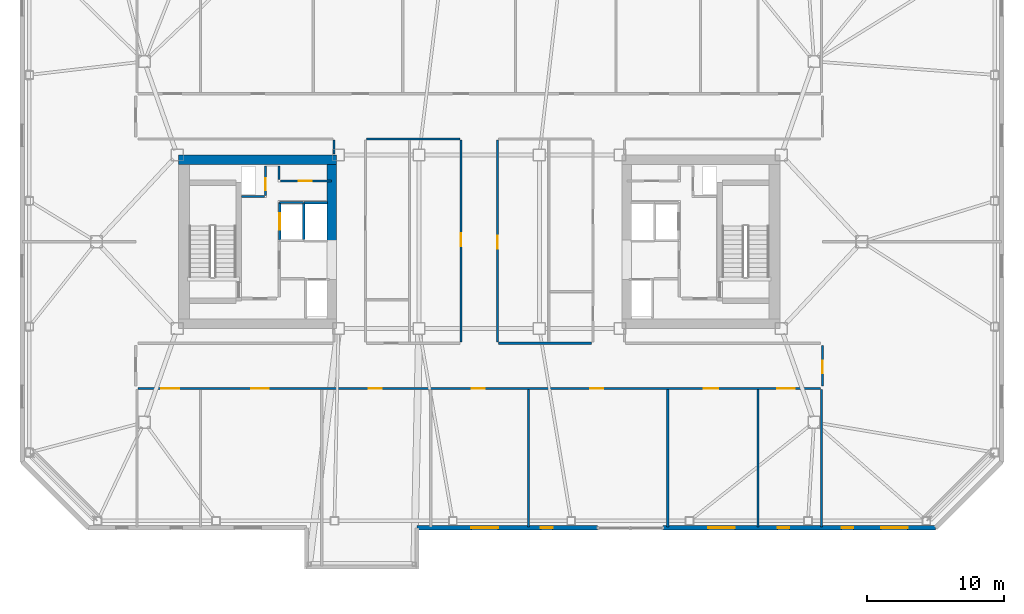
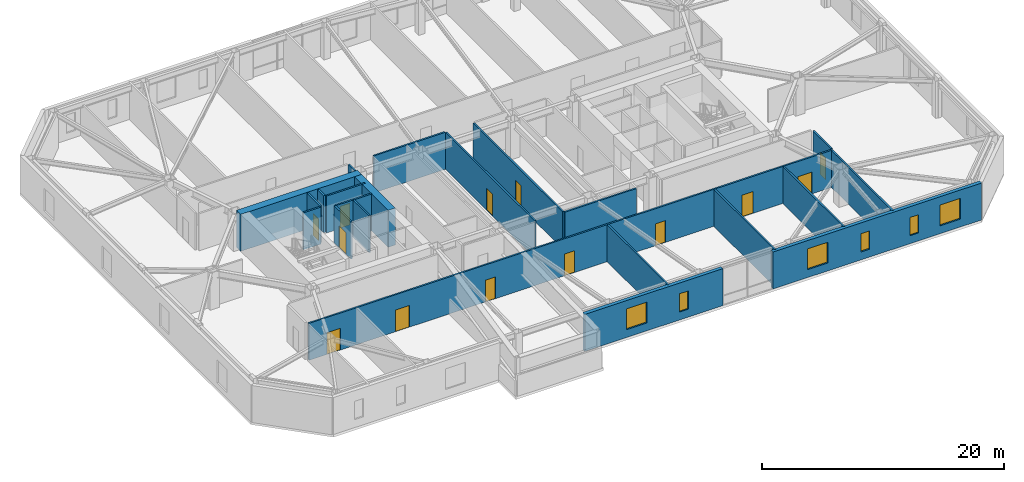
# One storey, part 10 of 17: 23 walls, 13 doors, 6 windows, 19 openings.
"""IFC4 building model written with IfcOpenShell, lengths in metres."""

import ifcopenshell
import ifcopenshell.guid

model = None  # the IFC model being written
_history = None  # IfcOwnerHistory: only IFC2X3 demands one
_inside = {}  # id of a spatial element -> (the spatial element, [elements in it])
_under = {}  # id of a project, library or spatial element -> (it, [spatial elements below it])
_declared = {}  # id of a project -> (the project, [libraries it declares])
_typed = {}  # id of a type object -> (the type object, [elements of that type])
_made_of = {}  # id of a material, layer set ... -> (it, [elements and type objects made of it])


def new_model(schema):
    """Start an empty IFC model of exactly this schema.

    Asked for "IFC4X3", IfcOpenShell would pick the latest addendum, in which some entities
    have other attributes; the version numbers below select the first issue.
    IFC2X3 requires an IfcOwnerHistory on every rooted entity: one is made here for all.
    """
    global model, _history
    if schema == "IFC4X3":
        model = ifcopenshell.file(schema_version=(4, 3, 0, 0))
    else:
        model = ifcopenshell.file(schema=schema)
    _inside.clear()
    _under.clear()
    _declared.clear()
    _typed.clear()
    _made_of.clear()
    _history = None
    if model.schema == "IFC2X3":
        org = make("IfcOrganization", Name="unknown")
        user = make(
            "IfcPersonAndOrganization",
            ThePerson=make("IfcPerson", FamilyName="unknown"),
            TheOrganization=org,
        )
        app = make(
            "IfcApplication",
            ApplicationDeveloper=org,
            Version="unknown",
            ApplicationFullName="unknown",
            ApplicationIdentifier="unknown",
        )
        _history = make(
            "IfcOwnerHistory",
            OwningUser=user,
            OwningApplication=app,
            ChangeAction="ADDED",
            CreationDate=0,
        )
    return model


def make(cls, **values):
    """One entity of the class cls with the attributes given. An attribute that is None is left unset."""
    return model.create_entity(
        cls, **{name: value for name, value in values.items() if value is not None}
    )


def rooted(cls, **values):
    """An entity with a GlobalId (a new one), such as an element, a storey or a relation."""
    return make(cls, GlobalId=ifcopenshell.guid.new(), OwnerHistory=_history, **values)


def si_unit(unit_type, name, prefix=None):
    """IfcSIUnit, for example si_unit("LENGTHUNIT", "METRE", prefix="MILLI")."""
    return make("IfcSIUnit", UnitType=unit_type, Prefix=prefix, Name=name)


def assignment(units):
    """IfcUnitAssignment: the units of a project."""
    return None if units is None else make("IfcUnitAssignment", Units=units)


def point(xyz):
    """IfcCartesianPoint."""
    return None if xyz is None else make("IfcCartesianPoint", Coordinates=xyz)


def direction(xyz):
    """IfcDirection."""
    return None if xyz is None else make("IfcDirection", DirectionRatios=xyz)


def frame(location, z_axis=None, x_axis=None):
    """IfcAxis2Placement3D, a coordinate frame: its origin and axes. An axis left out is left unset."""
    return make(
        "IfcAxis2Placement3D",
        Location=point(location),
        Axis=direction(z_axis),
        RefDirection=direction(x_axis),
    )


def frame_2d(location, x_axis=None):
    """IfcAxis2Placement2D, a coordinate frame in the plane: its origin and x axis."""
    return make(
        "IfcAxis2Placement2D", Location=point(location), RefDirection=direction(x_axis)
    )


def origin():
    """The frame at (0, 0, 0) with its axes left unset."""
    return frame((0.0, 0.0, 0.0))


def place(relative_to, where):
    """IfcLocalPlacement: puts the frame where relative to a parent placement (None: the world)."""
    return make(
        "IfcLocalPlacement", PlacementRelTo=relative_to, RelativePlacement=where
    )


def context(
    kind, dimensions, precision=None, world=None, true_north=None, identifier=None
):
    """IfcGeometricRepresentationContext, for example the 3D "Model" context."""
    return make(
        "IfcGeometricRepresentationContext",
        ContextIdentifier=identifier,
        ContextType=kind,
        CoordinateSpaceDimension=dimensions,
        Precision=precision,
        WorldCoordinateSystem=world,
        TrueNorth=true_north,
    )


def subcontext(parent, identifier, kind, view, scale=None):
    """IfcGeometricRepresentationSubContext, for example "Body" below "Model"."""
    return make(
        "IfcGeometricRepresentationSubContext",
        ContextIdentifier=identifier,
        ContextType=kind,
        ParentContext=parent,
        TargetScale=scale,
        TargetView=view,
    )


def project(units=None, contexts=None):
    """IfcProject with its units and contexts."""
    return rooted(
        "IfcProject",
        Name="project",
        RepresentationContexts=contexts,
        UnitsInContext=assignment(units),
    )


def spatial(cls, under=None, at=None, **own):
    """A site, building, storey or space (cls), placed at a placement, below another one or the project."""
    s = rooted(cls, ObjectPlacement=at, **own)
    if under is not None:
        _under.setdefault(under.id(), (under, []))[1].append(s)
    return s


def profile(cls, at=None, kind="AREA", **sizes):
    """A parametric profile (cls). Its sizes go by their IFC names, for example OverallWidth=200.0."""
    return make(cls, ProfileType=kind, Position=at, **sizes)


def rectangle(**sizes):
    """IfcRectangleProfileDef."""
    return profile("IfcRectangleProfileDef", **sizes)


def extrude(swept, where, along, depth):
    """IfcExtrudedAreaSolid: the profile swept, set in the frame where, extruded along a direction by depth."""
    return make(
        "IfcExtrudedAreaSolid",
        SweptArea=swept,
        Position=where,
        ExtrudedDirection=direction(along),
        Depth=depth,
    )


def shape(context_of_items, identifier, shape_type, items):
    """IfcShapeRepresentation: the items that make up one representation, for example the "Body"."""
    return make(
        "IfcShapeRepresentation",
        ContextOfItems=context_of_items,
        RepresentationIdentifier=identifier,
        RepresentationType=shape_type,
        Items=items,
    )


def material(Name=None, Category=None):
    """IfcMaterial."""
    return make("IfcMaterial", Name=Name, Category=Category)


def layer(
    of_material, thickness, ventilated=None, Name=None, Category=None, Priority=None
):
    """IfcMaterialLayer: one layer of a wall or slab, of a material (None: an air gap)."""
    return make(
        "IfcMaterialLayer",
        Material=of_material,
        LayerThickness=thickness,
        IsVentilated=ventilated,
        Name=Name,
        Category=Category,
        Priority=Priority,
    )


def layer_set(layers, Name=None):
    """IfcMaterialLayerSet."""
    return make("IfcMaterialLayerSet", MaterialLayers=layers, LayerSetName=Name)


def made_of(thing, what):
    """Note that an element or type object is made of a material, layer set ...; save() writes the relation."""
    if what is not None:
        _made_of.setdefault(what.id(), (what, []))[1].append(thing)
    return thing


def type_object(cls, material=None, **own):
    """A type object (cls), such as IfcWallType, which elements share."""
    return made_of(rooted(cls, **own), material)


def element(
    cls,
    number,
    at=None,
    inside=None,
    cuts=None,
    type_object=None,
    material=None,
    context=None,
    identifier="Body",
    shape_type=None,
    held_by="IfcProductDefinitionShape",
    body=None,
    shapes=None,
    **own,
):
    """One element of the class cls, such as IfcWall. Its Tag is "e" and its number.

    at: its placement. inside: the storey or other place that contains it. cuts: it is an
    opening in that element (IfcRelVoidsElement). A single representation is given by context,
    identifier, shape_type and body (its items); several are given by shapes. held_by: the class
    of the entity that holds the representations. save() writes the other relations.
    """
    e = rooted(cls, Tag="e%d" % number, ObjectPlacement=at, **own)
    if body is not None:
        shapes = [shape(context, identifier, shape_type, body)]
    if shapes is not None:
        e.Representation = make(held_by, Representations=shapes)
    if inside is not None:
        _inside.setdefault(inside.id(), (inside, []))[1].append(e)
    if cuts is not None:
        rooted(
            "IfcRelVoidsElement", RelatingBuildingElement=cuts, RelatedOpeningElement=e
        )
    if type_object is not None:
        _typed.setdefault(type_object.id(), (type_object, []))[1].append(e)
    return made_of(e, material)


def fill(opening, filler):
    """IfcRelFillsElement: the door or window that sits in an opening."""
    return rooted(
        "IfcRelFillsElement",
        RelatingOpeningElement=opening,
        RelatedBuildingElement=filler,
    )


def aggregate(whole, parts):
    """IfcRelAggregates: a whole, such as a stair, and the parts it consists of."""
    return rooted("IfcRelAggregates", RelatingObject=whole, RelatedObjects=parts)


def save(model, path):
    """Write the relations noted so far, then the file.

    IfcRelAggregates (storeys below a building ...), IfcRelContainedInSpatialStructure (elements
    in a storey), IfcRelDefinesByType, IfcRelAssociatesMaterial and IfcRelDeclares: one each for
    every whole, place, type object, material and project.
    """
    for whole, parts in _under.values():
        aggregate(whole, parts)
    for where, things in _inside.values():
        rooted(
            "IfcRelContainedInSpatialStructure",
            RelatedElements=things,
            RelatingStructure=where,
        )
    for kind, things in _typed.values():
        rooted("IfcRelDefinesByType", RelatedObjects=things, RelatingType=kind)
    for what, things in _made_of.values():
        rooted("IfcRelAssociatesMaterial", RelatedObjects=things, RelatingMaterial=what)
    for by, libraries in _declared.values():
        rooted("IfcRelDeclares", RelatingContext=by, RelatedDefinitions=libraries)
    model.write(path)


model = new_model("IFC4")

# Units and contexts
model_context = context("Model", 3, precision=1e-05, world=origin(), true_north=direction((0.0, 1.0)))
body_context = subcontext(model_context, "Body", "Model", "MODEL_VIEW")
ifc_project = project(units=[si_unit("LENGTHUNIT", "METRE"), si_unit("AREAUNIT", "SQUARE_METRE"), si_unit("VOLUMEUNIT", "CUBIC_METRE"), si_unit("PLANEANGLEUNIT", "RADIAN"), si_unit("MASSUNIT", "GRAM", prefix="KILO")], contexts=[model_context])

# Site, building, storey
site_placement = place(None, origin())
site = spatial("IfcSite", under=ifc_project, at=site_placement, CompositionType="ELEMENT")
building_placement = place(site_placement, origin())
building = spatial("IfcBuilding", under=site, at=building_placement, Name="Tavrogorsk Clinical Tower", CompositionType="ELEMENT")
storey_placement = place(building_placement, frame((0.0, 0.0, 160.199951171875)))
storey = spatial("IfcBuildingStorey", under=building, at=storey_placement, Name="L36", CompositionType="ELEMENT", Elevation=160.199951171875)

# Wall, opening, door
ifc_material_1 = material(Name="Lightweight concrete blockwork B15", Category="masonry")
ifc_layer_1 = layer(ifc_material_1, 0.159912109375)
ifc_layer_set_1 = layer_set([ifc_layer_1], Name="Lightweight concrete blockwork B15")
wall_type_1 = type_object("IfcWallType", Name="PartitionWall_160", PredefinedType="PARTITIONING", material=ifc_layer_set_1)
wall_1_placement = place(storey_placement, frame((-14.554931640625, 4.4599609375, 0.0), z_axis=(0.0, 0.0, 1.0), x_axis=(1.0, 0.0, 0.0)))
wall_1 = element("IfcWall", 1, at=wall_1_placement, inside=storey, type_object=wall_type_1, Name="L36 Core West Pneumatic Dispatch South Wall", PredefinedType="PARTITIONING", context=body_context, shape_type="SweptSolid", body=[
    extrude(rectangle(XDim=3.7548828125, YDim=0.159912109375, at=frame_2d((1.87744140625, 0.0))), origin(), (0.0, 0.0, 1.0), 3.739990234375),
])
opening_1_placement = place(wall_1_placement, frame((1.35009765625, 0.0, 0.0)))
opening_1 = element("IfcOpeningElement", 2, at=opening_1_placement, cuts=wall_1, Name="Opening ID-02", PredefinedType="OPENING", context=body_context, shape_type="SweptSolid", body=[
    extrude(rectangle(XDim=0.949951171875, YDim=2.199951171875, at=frame_2d((0.47509765625, 1.10009765625))), frame((0.0, 0.08984375, 0.0), z_axis=(0.0, -1.0, 0.0), x_axis=(1.0, 0.0, 0.0)), (0.0, 0.0, 1.0), 0.179931640625),
])
ifc_material_2 = material(Name="Laminated timber leaf on aluminium frame", Category="wood")
door_type_1 = type_object("IfcDoorType", Name="InteriorDoor_ID02_950", OperationType="NOTDEFINED", PredefinedType="DOOR", material=ifc_material_2)
door_1_placement = place(opening_1_placement, origin())
door_1 = element("IfcDoor", 3, at=door_1_placement, inside=storey, type_object=door_type_1, Name="L36 Core West Pneumatic Dispatch Door", OperationType="SINGLE_SWING_LEFT", OverallHeight=2.199951171875, OverallWidth=0.949951171875, PredefinedType="DOOR", context=body_context, shape_type="SweptSolid", body=[
    extrude(rectangle(XDim=0.949951171875, YDim=2.199951171875, at=frame_2d((0.47509765625, 1.10009765625))), frame((0.0, 0.02490234375, 0.0), z_axis=(0.0, -1.0, 0.0), x_axis=(1.0, 0.0, 0.0)), (0.0, 0.0, 1.0), 0.050048828125),
])
fill(opening_1, door_1)

# Walls
for number, where, z_axis, x_axis, name in (
    (4, (-14.639892578125, 4.544921875, 0.0), (0.0, 0.0, 1.0), (0.0, 1.0, 0.0), "L36 Core West Pneumatic Dispatch East Wall"),
    (5, (-10.6298828125, 6.419921875, 0.0), (0.0, 0.0, 1.0), (0.0, 1.0, 0.0), "L36 Corridor Partition 04"),
):
    element("IfcWall", number, at=place(storey_placement, frame(where, z_axis=z_axis, x_axis=x_axis)), inside=storey, type_object=wall_type_1, Name=name, PredefinedType="PARTITIONING", context=body_context, shape_type="SweptSolid", body=[
        extrude(rectangle(XDim=1.01513671875, YDim=0.159912109375, at=frame_2d((0.507568359375, 0.0))), origin(), (0.0, 0.0, 1.0), 3.739990234375),
    ])

# Wall, opening, door
wall_2_placement = place(storey_placement, frame((25.1298828125, -7.5849609375, 0.0), z_axis=(0.0, 0.0, 1.0), x_axis=(0.0, -1.0, 0.0)))
wall_2 = element("IfcWall", 6, at=wall_2_placement, inside=storey, type_object=wall_type_1, Name="L36 Corridor Partition 13", PredefinedType="PARTITIONING", context=body_context, shape_type="SweptSolid", body=[
    extrude(rectangle(XDim=2.97998046875, YDim=0.159912109375, at=frame_2d((1.489990234375, 0.0))), origin(), (0.0, 0.0, 1.0), 3.739990234375),
])
opening_2_placement = place(wall_2_placement, frame((1.10009765625, 0.0, 0.0)))
opening_2 = element("IfcOpeningElement", 7, at=opening_2_placement, cuts=wall_2, Name="Opening ID-02", PredefinedType="OPENING", context=body_context, shape_type="SweptSolid", body=[
    extrude(rectangle(XDim=0.949951171875, YDim=2.199951171875, at=frame_2d((0.47509765625, 1.10009765625))), frame((0.0, 0.08984375, 0.0), z_axis=(0.0, -1.0, 0.0), x_axis=(1.0, 0.0, 0.0)), (0.0, 0.0, 1.0), 0.179931640625),
])
door_2_placement = place(opening_2_placement, origin())
door_2 = element("IfcDoor", 8, at=door_2_placement, inside=storey, type_object=door_type_1, Name="L36 E Senior Clinician Suite 1 Door", OperationType="SINGLE_SWING_RIGHT", OverallHeight=2.199951171875, OverallWidth=0.949951171875, PredefinedType="DOOR", context=body_context, shape_type="SweptSolid", body=[
    extrude(rectangle(XDim=0.949951171875, YDim=2.199951171875, at=frame_2d((0.47509765625, 1.10009765625))), frame((0.0, 0.02490234375, 0.0), z_axis=(0.0, -1.0, 0.0), x_axis=(1.0, 0.0, 0.0)), (0.0, 0.0, 1.0), 0.050048828125),
])
fill(opening_2, door_2)

# Wall, openings, doors
wall_3_placement = place(storey_placement, frame((24.965087890625, -10.72998046875, 0.0), z_axis=(0.0, 0.0, 1.0), x_axis=(-1.0, 0.0, 0.0)))
wall_3 = element("IfcWall", 9, at=wall_3_placement, inside=storey, type_object=wall_type_1, Name="L36 Corridor Partition 14", PredefinedType="PARTITIONING", context=body_context, shape_type="SweptSolid", body=[
    extrude(rectangle(XDim=49.93017578125, YDim=0.159912109375, at=frame_2d((24.965087890625, 0.0))), origin(), (0.0, 0.0, 1.0), 3.739990234375),
])
opening_3_placement = place(wall_3_placement, frame((46.930908203125, 0.0, 0.0)))
opening_3 = element("IfcOpeningElement", 10, at=opening_3_placement, cuts=wall_3, Name="Opening ID-01", PredefinedType="OPENING", context=body_context, shape_type="SweptSolid", body=[
    extrude(rectangle(XDim=1.300048828125, YDim=2.199951171875, at=frame_2d((0.64990234375, 1.10009765625))), frame((0.0, 0.08984375, 0.0), z_axis=(0.0, -1.0, 0.0), x_axis=(1.0, 0.0, 0.0)), (0.0, 0.0, 1.0), 0.179931640625),
])
opening_4_placement = place(wall_3_placement, frame((40.362548828125, 0.0, 0.0)))
opening_4 = element("IfcOpeningElement", 11, at=opening_4_placement, cuts=wall_3, Name="Opening ID-01", PredefinedType="OPENING", context=body_context, shape_type="SweptSolid", body=[
    extrude(rectangle(XDim=1.300048828125, YDim=2.199951171875, at=frame_2d((0.64990234375, 1.10009765625))), frame((0.0, 0.08984375, 0.0), z_axis=(0.0, -1.0, 0.0), x_axis=(1.0, 0.0, 0.0)), (0.0, 0.0, 1.0), 0.179931640625),
])
opening_5_placement = place(wall_3_placement, frame((32.112548828125, 0.0, 0.0)))
opening_5 = element("IfcOpeningElement", 12, at=opening_5_placement, cuts=wall_3, Name="Opening ID-02", PredefinedType="OPENING", context=body_context, shape_type="SweptSolid", body=[
    extrude(rectangle(XDim=0.949951171875, YDim=2.199951171875, at=frame_2d((0.47509765625, 1.10009765625))), frame((0.0, 0.08984375, 0.0), z_axis=(0.0, -1.0, 0.0), x_axis=(1.0, 0.0, 0.0)), (0.0, 0.0, 1.0), 0.179931640625),
])
opening_6_placement = place(wall_3_placement, frame((24.550048828125, 0.0, 0.0)))
opening_6 = element("IfcOpeningElement", 13, at=opening_6_placement, cuts=wall_3, Name="Opening ID-02", PredefinedType="OPENING", context=body_context, shape_type="SweptSolid", body=[
    extrude(rectangle(XDim=0.949951171875, YDim=2.199951171875, at=frame_2d((0.47509765625, 1.10009765625))), frame((0.0, 0.08984375, 0.0), z_axis=(0.0, -1.0, 0.0), x_axis=(1.0, 0.0, 0.0)), (0.0, 0.0, 1.0), 0.179931640625),
])
opening_7_placement = place(wall_3_placement, frame((15.875, 0.0, 0.0)))
opening_7 = element("IfcOpeningElement", 14, at=opening_7_placement, cuts=wall_3, Name="Opening ID-02", PredefinedType="OPENING", context=body_context, shape_type="SweptSolid", body=[
    extrude(rectangle(XDim=0.949951171875, YDim=2.199951171875, at=frame_2d((0.47509765625, 1.10009765625))), frame((0.0, 0.08984375, 0.0), z_axis=(0.0, -1.0, 0.0), x_axis=(1.0, 0.0, 0.0)), (0.0, 0.0, 1.0), 0.179931640625),
])
opening_8_placement = place(wall_3_placement, frame((7.47509765625, 0.0, 0.0)))
opening_8 = element("IfcOpeningElement", 15, at=opening_8_placement, cuts=wall_3, Name="Opening ID-04", PredefinedType="OPENING", context=body_context, shape_type="SweptSolid", body=[
    extrude(rectangle(XDim=1.050048828125, YDim=2.199951171875, at=frame_2d((0.52490234375, 1.10009765625))), frame((0.0, 0.08984375, 0.0), z_axis=(0.0, -1.0, 0.0), x_axis=(1.0, 0.0, 0.0)), (0.0, 0.0, 1.0), 0.179931640625),
])
opening_9_placement = place(wall_3_placement, frame((1.869140625, 0.0, 0.0)))
opening_9 = element("IfcOpeningElement", 16, at=opening_9_placement, cuts=wall_3, Name="Opening ID-01", PredefinedType="OPENING", context=body_context, shape_type="SweptSolid", body=[
    extrude(rectangle(XDim=1.300048828125, YDim=2.199951171875, at=frame_2d((0.64990234375, 1.10009765625))), frame((0.0, 0.08984375, 0.0), z_axis=(0.0, -1.0, 0.0), x_axis=(1.0, 0.0, 0.0)), (0.0, 0.0, 1.0), 0.179931640625),
])
ifc_material_3 = material(Name="Antibacterial HPL consultation door on aluminium frame", Category="aluminium")
door_type_2 = type_object("IfcDoorType", Name="ConsultDoor_ID04_1050", OperationType="NOTDEFINED", PredefinedType="DOOR", material=ifc_material_3)
door_3_placement = place(opening_8_placement, origin())
door_3 = element("IfcDoor", 17, at=door_3_placement, inside=storey, type_object=door_type_2, Name="L36 South Staff Rest & Nourishment Lounge 05 Door", OperationType="SINGLE_SWING_RIGHT", OverallHeight=2.199951171875, OverallWidth=1.050048828125, PredefinedType="DOOR", context=body_context, shape_type="SweptSolid", body=[
    extrude(rectangle(XDim=1.050048828125, YDim=2.199951171875, at=frame_2d((0.52490234375, 1.10009765625))), frame((0.0, 0.02490234375, 0.0), z_axis=(0.0, -1.0, 0.0), x_axis=(1.0, 0.0, 0.0)), (0.0, 0.0, 1.0), 0.050048828125),
])
fill(opening_8, door_3)
door_4_placement = place(opening_5_placement, origin())
door_4 = element("IfcDoor", 18, at=door_4_placement, inside=storey, type_object=door_type_1, Name="L36 South Clean Medication & Prep Room 02B Door", OperationType="SINGLE_SWING_LEFT", OverallHeight=2.199951171875, OverallWidth=0.949951171875, PredefinedType="DOOR", context=body_context, shape_type="SweptSolid", body=[
    extrude(rectangle(XDim=0.949951171875, YDim=2.199951171875, at=frame_2d((0.47509765625, 1.10009765625))), frame((0.0, 0.02490234375, 0.0), z_axis=(0.0, -1.0, 0.0), x_axis=(1.0, 0.0, 0.0)), (0.0, 0.0, 1.0), 0.050048828125),
])
fill(opening_5, door_4)
door_5_placement = place(opening_6_placement, origin())
door_5 = element("IfcDoor", 19, at=door_5_placement, inside=storey, type_object=door_type_1, Name="L36 South Soiled Utility & Sluice Room 03 Door", OperationType="SINGLE_SWING_RIGHT", OverallHeight=2.199951171875, OverallWidth=0.949951171875, PredefinedType="DOOR", context=body_context, shape_type="SweptSolid", body=[
    extrude(rectangle(XDim=0.949951171875, YDim=2.199951171875, at=frame_2d((0.47509765625, 1.10009765625))), frame((0.0, 0.02490234375, 0.0), z_axis=(0.0, -1.0, 0.0), x_axis=(1.0, 0.0, 0.0)), (0.0, 0.0, 1.0), 0.050048828125),
])
fill(opening_6, door_5)
door_6_placement = place(opening_7_placement, origin())
door_6 = element("IfcDoor", 20, at=door_6_placement, inside=storey, type_object=door_type_1, Name="L36 South Clinical Case Seminar Room 04 Door", OperationType="SINGLE_SWING_LEFT", OverallHeight=2.199951171875, OverallWidth=0.949951171875, PredefinedType="DOOR", context=body_context, shape_type="SweptSolid", body=[
    extrude(rectangle(XDim=0.949951171875, YDim=2.199951171875, at=frame_2d((0.47509765625, 1.10009765625))), frame((0.0, 0.02490234375, 0.0), z_axis=(0.0, -1.0, 0.0), x_axis=(1.0, 0.0, 0.0)), (0.0, 0.0, 1.0), 0.050048828125),
])
fill(opening_7, door_6)
ifc_material_4 = material(Name="Antibacterial HPL medical leaf on aluminium frame", Category="aluminium")
door_type_3 = type_object("IfcDoorType", Name="WardBedDoor_ID01_1300", OperationType="NOTDEFINED", PredefinedType="DOOR", material=ifc_material_4)
door_7_placement = place(opening_3_placement, origin())
door_7 = element("IfcDoor", 21, at=door_7_placement, inside=storey, type_object=door_type_3, Name="L36 South Bariatric Observation Ward 01 Door", OperationType="SINGLE_SWING_LEFT", OverallHeight=2.199951171875, OverallWidth=1.300048828125, PredefinedType="DOOR", context=body_context, shape_type="SweptSolid", body=[
    extrude(rectangle(XDim=1.300048828125, YDim=2.199951171875, at=frame_2d((0.64990234375, 1.10009765625))), frame((0.0, 0.02490234375, 0.0), z_axis=(0.0, -1.0, 0.0), x_axis=(1.0, 0.0, 0.0)), (0.0, 0.0, 1.0), 0.050048828125),
])
fill(opening_3, door_7)
door_8_placement = place(opening_4_placement, origin())
door_8 = element("IfcDoor", 22, at=door_8_placement, inside=storey, type_object=door_type_3, Name="L36 South Surgical Step-Down Ward 02A Door", OperationType="SINGLE_SWING_RIGHT", OverallHeight=2.199951171875, OverallWidth=1.300048828125, PredefinedType="DOOR", context=body_context, shape_type="SweptSolid", body=[
    extrude(rectangle(XDim=1.300048828125, YDim=2.199951171875, at=frame_2d((0.64990234375, 1.10009765625))), frame((0.0, 0.02490234375, 0.0), z_axis=(0.0, -1.0, 0.0), x_axis=(1.0, 0.0, 0.0)), (0.0, 0.0, 1.0), 0.050048828125),
])
fill(opening_4, door_8)
door_9_placement = place(opening_9_placement, origin())
door_9 = element("IfcDoor", 23, at=door_9_placement, inside=storey, type_object=door_type_3, Name="L36 South Bariatric Observation Ward 06 Door", OperationType="SINGLE_SWING_LEFT", OverallHeight=2.199951171875, OverallWidth=1.300048828125, PredefinedType="DOOR", context=body_context, shape_type="SweptSolid", body=[
    extrude(rectangle(XDim=1.300048828125, YDim=2.199951171875, at=frame_2d((0.64990234375, 1.10009765625))), frame((0.0, 0.02490234375, 0.0), z_axis=(0.0, -1.0, 0.0), x_axis=(1.0, 0.0, 0.0)), (0.0, 0.0, 1.0), 0.050048828125),
])
fill(opening_9, door_9)

# Wall, opening, door
wall_4_placement = place(storey_placement, frame((1.330078125, 7.43505859375, 0.0), z_axis=(0.0, 0.0, 1.0), x_axis=(0.0, -1.0, 0.0)))
wall_4 = element("IfcWall", 24, at=wall_4_placement, inside=storey, type_object=wall_type_1, Name="L36 Corridor Partition 16", PredefinedType="PARTITIONING", context=body_context, shape_type="SweptSolid", body=[
    extrude(rectangle(XDim=14.77001953125, YDim=0.159912109375, at=frame_2d((7.385009765625, 0.0))), origin(), (0.0, 0.0, 1.0), 3.739990234375),
])
opening_10_placement = place(wall_4_placement, frame((6.9951171875, 0.0, 0.0)))
opening_10 = element("IfcOpeningElement", 25, at=opening_10_placement, cuts=wall_4, Name="Opening ID-02", PredefinedType="OPENING", context=body_context, shape_type="SweptSolid", body=[
    extrude(rectangle(XDim=0.949951171875, YDim=2.199951171875, at=frame_2d((0.47509765625, 1.10009765625))), frame((0.0, 0.08984375, 0.0), z_axis=(0.0, -1.0, 0.0), x_axis=(1.0, 0.0, 0.0)), (0.0, 0.0, 1.0), 0.179931640625),
])
door_10_placement = place(opening_10_placement, origin())
door_10 = element("IfcDoor", 26, at=door_10_placement, inside=storey, type_object=door_type_1, Name="L36 Clean Medication Preparation Room Door", OperationType="SINGLE_SWING_LEFT", OverallHeight=2.199951171875, OverallWidth=0.949951171875, PredefinedType="DOOR", context=body_context, shape_type="SweptSolid", body=[
    extrude(rectangle(XDim=0.949951171875, YDim=2.199951171875, at=frame_2d((0.47509765625, 1.10009765625))), frame((0.0, 0.02490234375, 0.0), z_axis=(0.0, -1.0, 0.0), x_axis=(1.0, 0.0, 0.0)), (0.0, 0.0, 1.0), 0.050048828125),
])
fill(opening_10, door_10)

# Wall
wall_5_placement = place(storey_placement, frame((1.4150390625, -7.419921875, 0.0), z_axis=(0.0, 0.0, 1.0), x_axis=(1.0, 0.0, 0.0)))
element("IfcWall", 27, at=wall_5_placement, inside=storey, type_object=wall_type_1, Name="L36 Corridor Partition 17", PredefinedType="PARTITIONING", context=body_context, shape_type="SweptSolid", body=[
    extrude(rectangle(XDim=6.820068359375, YDim=0.159912109375, at=frame_2d((3.41015625, 0.0))), origin(), (0.0, 0.0, 1.0), 3.739990234375),
])

# Wall, opening, door
wall_6_placement = place(storey_placement, frame((-1.330078125, -7.3349609375, 0.0), z_axis=(0.0, 0.0, 1.0), x_axis=(0.0, 1.0, 0.0)))
wall_6 = element("IfcWall", 28, at=wall_6_placement, inside=storey, type_object=wall_type_1, Name="L36 Corridor Partition 19", PredefinedType="PARTITIONING", context=body_context, shape_type="SweptSolid", body=[
    extrude(rectangle(XDim=14.77001953125, YDim=0.159912109375, at=frame_2d((7.385009765625, 0.0))), origin(), (0.0, 0.0, 1.0), 3.739990234375),
])
opening_11_placement = place(wall_6_placement, frame((6.9951171875, 0.0, 0.0)))
opening_11 = element("IfcOpeningElement", 29, at=opening_11_placement, cuts=wall_6, Name="Opening ID-02", PredefinedType="OPENING", context=body_context, shape_type="SweptSolid", body=[
    extrude(rectangle(XDim=0.949951171875, YDim=2.199951171875, at=frame_2d((0.47509765625, 1.10009765625))), frame((0.0, 0.08984375, 0.0), z_axis=(0.0, -1.0, 0.0), x_axis=(1.0, 0.0, 0.0)), (0.0, 0.0, 1.0), 0.179931640625),
])
door_11_placement = place(opening_11_placement, origin())
door_11 = element("IfcDoor", 30, at=door_11_placement, inside=storey, type_object=door_type_1, Name="L36 Nurses' Station & Telemetry Hub Door", OperationType="SINGLE_SWING_RIGHT", OverallHeight=2.199951171875, OverallWidth=0.949951171875, PredefinedType="DOOR", context=body_context, shape_type="SweptSolid", body=[
    extrude(rectangle(XDim=0.949951171875, YDim=2.199951171875, at=frame_2d((0.47509765625, 1.10009765625))), frame((0.0, 0.02490234375, 0.0), z_axis=(0.0, -1.0, 0.0), x_axis=(1.0, 0.0, 0.0)), (0.0, 0.0, 1.0), 0.050048828125),
])
fill(opening_11, door_11)

# Walls
wall_7_placement = place(storey_placement, frame((-1.4150390625, 7.52001953125, 0.0), z_axis=(0.0, 0.0, 1.0), x_axis=(-1.0, 0.0, 0.0)))
element("IfcWall", 31, at=wall_7_placement, inside=storey, type_object=wall_type_1, Name="L36 Corridor Partition 20", PredefinedType="PARTITIONING", context=body_context, shape_type="SweptSolid", body=[
    extrude(rectangle(XDim=6.820068359375, YDim=0.159912109375, at=frame_2d((3.41015625, 0.0))), origin(), (0.0, 0.0, 1.0), 3.739990234375),
])
for number, where, z_axis, x_axis, name in (
    (32, (25.050048828125, -20.860107421875, 0.0), (0.0, 0.0, 1.0), (0.0, 1.0, 0.0), "L36 SE Wing Closure Partition"),
    (33, (3.60009765625, -20.860107421875, 0.0), (0.0, 0.0, 1.0), (0.0, 1.0, 0.0), "L36 South Room Partition 3"),
    (34, (13.800048828125, -20.860107421875, 0.0), (0.0, 0.0, 1.0), (0.0, 1.0, 0.0), "L36 South Room Partition 4"),
    (35, (20.39990234375, -20.860107421875, 0.0), (0.0, 0.0, 1.0), (0.0, 1.0, 0.0), "L36 South Room Partition 5"),
):
    element("IfcWall", number, at=place(storey_placement, frame(where, z_axis=z_axis, x_axis=x_axis)), inside=storey, type_object=wall_type_1, Name=name, PredefinedType="PARTITIONING", context=body_context, shape_type="SweptSolid", body=[
        extrude(rectangle(XDim=10.045166015625, YDim=0.159912109375, at=frame_2d((5.0224609375, 0.0))), origin(), (0.0, 0.0, 1.0), 3.739990234375),
    ])

# Wall, openings, windows
ifc_material_5 = material(Name="Precast concrete B45 with limestone cladding", Category="masonry")
ifc_layer_2 = layer(ifc_material_5, 0.340087890625)
ifc_layer_set_2 = layer_set([ifc_layer_2], Name="Precast concrete B45 with limestone cladding")
wall_type_2 = type_object("IfcWallType", Name="PrecastLimestoneWall_340", PredefinedType="STANDARD", material=ifc_layer_set_2)
wall_8_placement = place(storey_placement, frame((-4.550048828125, -20.929931640625, 0.0), z_axis=(0.0, 0.0, 1.0), x_axis=(1.0, 0.0, 0.0)))
wall_8 = element("IfcWall", 36, at=wall_8_placement, inside=storey, type_object=wall_type_2, Name="L36 S Limestone Facade Wall 2", PredefinedType="STANDARD", context=body_context, shape_type="SweptSolid", body=[
    extrude(rectangle(XDim=13.212890625, YDim=0.340087890625, at=frame_2d((6.6064453125, 0.0))), origin(), (0.0, 0.0, 1.0), 3.739990234375),
])
opening_12_placement = place(wall_8_placement, frame((3.982666015625, 0.0, 0.800048828125)))
opening_12 = element("IfcOpeningElement", 37, at=opening_12_placement, cuts=wall_8, Name="Opening WN-13", PredefinedType="OPENING", context=body_context, shape_type="SweptSolid", body=[
    extrude(rectangle(XDim=1.949951171875, YDim=2.10009765625, at=frame_2d((0.97509765625, 1.050048828125))), frame((0.0, 0.179931640625, 0.0), z_axis=(0.0, -1.0, 0.0), x_axis=(1.0, 0.0, 0.0)), (0.0, 0.0, 1.0), 0.360107421875),
])
opening_13_placement = place(wall_8_placement, frame((9.0673828125, 0.0, 0.800048828125)))
opening_13 = element("IfcOpeningElement", 38, at=opening_13_placement, cuts=wall_8, Name="Opening WN-06", PredefinedType="OPENING", context=body_context, shape_type="SweptSolid", body=[
    extrude(rectangle(XDim=0.85009765625, YDim=1.85009765625, at=frame_2d((0.425048828125, 0.925048828125))), frame((0.0, 0.179931640625, 0.0), z_axis=(0.0, -1.0, 0.0), x_axis=(1.0, 0.0, 0.0)), (0.0, 0.0, 1.0), 0.360107421875),
])
ifc_material_6 = material(Name="Thermally broken aluminium frame and triple IGU", Category="aluminium")
window_type_1 = type_object("IfcWindowType", Name="ExamRoomWin_1950x2100", PartitioningType="DOUBLE_PANEL_VERTICAL", PredefinedType="WINDOW", material=ifc_material_6)
window_1_placement = place(opening_12_placement, origin())
window_1 = element("IfcWindow", 39, at=window_1_placement, inside=storey, type_object=window_type_1, Name="L36 S Chicago Window 05", OverallHeight=2.10009765625, OverallWidth=1.949951171875, PartitioningType="SINGLE_PANEL", PredefinedType="WINDOW", context=body_context, shape_type="SweptSolid", body=[
    extrude(rectangle(XDim=1.949951171875, YDim=2.10009765625, at=frame_2d((0.97509765625, 1.050048828125))), frame((0.0, 0.030029296875, 0.0), z_axis=(0.0, -1.0, 0.0), x_axis=(1.0, 0.0, 0.0)), (0.0, 0.0, 1.0), 0.06005859375),
])
fill(opening_12, window_1)
ifc_material_7 = material(Name="Thermally broken aluminium frame and triple IGU", Category="aluminium")
window_type_2 = type_object("IfcWindowType", Name="MullionSubWin_850x1850", PartitioningType="SINGLE_PANEL", PredefinedType="WINDOW", material=ifc_material_7)
window_2_placement = place(opening_13_placement, origin())
window_2 = element("IfcWindow", 40, at=window_2_placement, inside=storey, type_object=window_type_2, Name="L36 S Mullion Split Window 06B", OverallHeight=1.85009765625, OverallWidth=0.85009765625, PartitioningType="SINGLE_PANEL", PredefinedType="WINDOW", context=body_context, shape_type="SweptSolid", body=[
    extrude(rectangle(XDim=0.85009765625, YDim=1.85009765625, at=frame_2d((0.425048828125, 0.925048828125))), frame((0.0, 0.030029296875, 0.0), z_axis=(0.0, -1.0, 0.0), x_axis=(1.0, 0.0, 0.0)), (0.0, 0.0, 1.0), 0.06005859375),
])
fill(opening_13, window_2)

wall_9_placement = place(storey_placement, frame((13.462890625, -20.929931640625, 0.0), z_axis=(0.0, 0.0, 1.0), x_axis=(1.0, 0.0, 0.0)))
wall_9 = element("IfcWall", 41, at=wall_9_placement, inside=storey, type_object=wall_type_2, Name="L36 S Limestone Facade Wall 3", PredefinedType="STANDARD", context=body_context, shape_type="SweptSolid", body=[
    extrude(rectangle(XDim=19.93701171875, YDim=0.340087890625, at=frame_2d((9.968505859375, 0.0))), origin(), (0.0, 0.0, 1.0), 3.739990234375),
])
opening_14_placement = place(wall_9_placement, frame((3.29541015625, 0.0, 0.800048828125)))
opening_14 = element("IfcOpeningElement", 42, at=opening_14_placement, cuts=wall_9, Name="Opening WN-13", PredefinedType="OPENING", context=body_context, shape_type="SweptSolid", body=[
    extrude(rectangle(XDim=1.949951171875, YDim=2.10009765625, at=frame_2d((0.97509765625, 1.050048828125))), frame((0.0, 0.179931640625, 0.0), z_axis=(0.0, -1.0, 0.0), x_axis=(1.0, 0.0, 0.0)), (0.0, 0.0, 1.0), 0.360107421875),
])
opening_15_placement = place(wall_9_placement, frame((8.38037109375, 0.0, 0.800048828125)))
opening_15 = element("IfcOpeningElement", 43, at=opening_15_placement, cuts=wall_9, Name="Opening WN-06", PredefinedType="OPENING", context=body_context, shape_type="SweptSolid", body=[
    extrude(rectangle(XDim=0.85009765625, YDim=1.85009765625, at=frame_2d((0.425048828125, 0.925048828125))), frame((0.0, 0.179931640625, 0.0), z_axis=(0.0, -1.0, 0.0), x_axis=(1.0, 0.0, 0.0)), (0.0, 0.0, 1.0), 0.360107421875),
])
opening_16_placement = place(wall_9_placement, frame((13.058349609375, 0.0, 0.800048828125)))
opening_16 = element("IfcOpeningElement", 44, at=opening_16_placement, cuts=wall_9, Name="Opening WN-06", PredefinedType="OPENING", context=body_context, shape_type="SweptSolid", body=[
    extrude(rectangle(XDim=0.85009765625, YDim=1.85009765625, at=frame_2d((0.425048828125, 0.925048828125))), frame((0.0, 0.179931640625, 0.0), z_axis=(0.0, -1.0, 0.0), x_axis=(1.0, 0.0, 0.0)), (0.0, 0.0, 1.0), 0.360107421875),
])
opening_17_placement = place(wall_9_placement, frame((15.943115234375, 0.0, 0.800048828125)))
opening_17 = element("IfcOpeningElement", 45, at=opening_17_placement, cuts=wall_9, Name="Opening WN-13", PredefinedType="OPENING", context=body_context, shape_type="SweptSolid", body=[
    extrude(rectangle(XDim=1.949951171875, YDim=2.10009765625, at=frame_2d((0.97509765625, 1.050048828125))), frame((0.0, 0.179931640625, 0.0), z_axis=(0.0, -1.0, 0.0), x_axis=(1.0, 0.0, 0.0)), (0.0, 0.0, 1.0), 0.360107421875),
])
window_3_placement = place(opening_14_placement, origin())
window_3 = element("IfcWindow", 46, at=window_3_placement, inside=storey, type_object=window_type_1, Name="L36 S Chicago Window 07", OverallHeight=2.10009765625, OverallWidth=1.949951171875, PartitioningType="SINGLE_PANEL", PredefinedType="WINDOW", context=body_context, shape_type="SweptSolid", body=[
    extrude(rectangle(XDim=1.949951171875, YDim=2.10009765625, at=frame_2d((0.97509765625, 1.050048828125))), frame((0.0, 0.030029296875, 0.0), z_axis=(0.0, -1.0, 0.0), x_axis=(1.0, 0.0, 0.0)), (0.0, 0.0, 1.0), 0.06005859375),
])
fill(opening_14, window_3)
window_4_placement = place(opening_17_placement, origin())
window_4 = element("IfcWindow", 47, at=window_4_placement, inside=storey, type_object=window_type_1, Name="L36 S Chicago Window 10", OverallHeight=2.10009765625, OverallWidth=1.949951171875, PartitioningType="SINGLE_PANEL", PredefinedType="WINDOW", context=body_context, shape_type="SweptSolid", body=[
    extrude(rectangle(XDim=1.949951171875, YDim=2.10009765625, at=frame_2d((0.97509765625, 1.050048828125))), frame((0.0, 0.030029296875, 0.0), z_axis=(0.0, -1.0, 0.0), x_axis=(1.0, 0.0, 0.0)), (0.0, 0.0, 1.0), 0.06005859375),
])
fill(opening_17, window_4)
window_5_placement = place(opening_15_placement, origin())
window_5 = element("IfcWindow", 48, at=window_5_placement, inside=storey, type_object=window_type_2, Name="L36 S Mullion Split Window 08B", OverallHeight=1.85009765625, OverallWidth=0.85009765625, PartitioningType="SINGLE_PANEL", PredefinedType="WINDOW", context=body_context, shape_type="SweptSolid", body=[
    extrude(rectangle(XDim=0.85009765625, YDim=1.85009765625, at=frame_2d((0.425048828125, 0.925048828125))), frame((0.0, 0.030029296875, 0.0), z_axis=(0.0, -1.0, 0.0), x_axis=(1.0, 0.0, 0.0)), (0.0, 0.0, 1.0), 0.06005859375),
])
fill(opening_15, window_5)
window_6_placement = place(opening_16_placement, origin())
window_6 = element("IfcWindow", 49, at=window_6_placement, inside=storey, type_object=window_type_2, Name="L36 S Mullion Split Window 09B", OverallHeight=1.85009765625, OverallWidth=0.85009765625, PartitioningType="SINGLE_PANEL", PredefinedType="WINDOW", context=body_context, shape_type="SweptSolid", body=[
    extrude(rectangle(XDim=0.85009765625, YDim=1.85009765625, at=frame_2d((0.425048828125, 0.925048828125))), frame((0.0, 0.030029296875, 0.0), z_axis=(0.0, -1.0, 0.0), x_axis=(1.0, 0.0, 0.0)), (0.0, 0.0, 1.0), 0.06005859375),
])
fill(opening_16, window_6)

# Wall, opening, door
ifc_material_8 = material(Name="Lightweight concrete blockwork B25", Category="masonry")
ifc_layer_3 = layer(ifc_material_8, 0.159912109375)
ifc_layer_set_3 = layer_set([ifc_layer_3], Name="Lightweight concrete blockwork B25")
wall_type_3 = type_object("IfcWallType", Name="ShaftWall_160", PredefinedType="PARTITIONING", material=ifc_layer_set_3)
wall_10_placement = place(storey_placement, frame((-14.60009765625, 0.1201171875, 0.0), z_axis=(0.0, 0.0, 1.0), x_axis=(0.0, 1.0, 0.0)))
wall_10 = element("IfcWall", 50, at=wall_10_placement, inside=storey, type_object=wall_type_3, Name="L36 FFL-W Firefighting Lift Front Wall", PredefinedType="PARTITIONING", context=body_context, shape_type="SweptSolid", body=[
    extrude(rectangle(XDim=2.739990234375, YDim=0.159912109375, at=frame_2d((1.3701171875, 0.0))), origin(), (0.0, 0.0, 1.0), 3.739990234375),
])
opening_18_placement = place(wall_10_placement, frame((0.77001953125, 0.0, 0.0)))
opening_18 = element("IfcOpeningElement", 51, at=opening_18_placement, cuts=wall_10, Name="Opening LD", PredefinedType="OPENING", context=body_context, shape_type="SweptSolid", body=[
    extrude(rectangle(XDim=1.199951171875, YDim=2.199951171875, at=frame_2d((0.60009765625, 1.10009765625))), frame((0.0, 0.08984375, 0.0), z_axis=(0.0, -1.0, 0.0), x_axis=(1.0, 0.0, 0.0)), (0.0, 0.0, 1.0), 0.179931640625),
])
ifc_material_9 = material(Name="Brushed stainless steel AISI 304 sliding doors", Category="steel")
door_type_4 = type_object("IfcDoorType", Name="LiftLandingDoor_LD_1200", OperationType="SLIDING_TO_LEFT", PredefinedType="DOOR", material=ifc_material_9)
door_12_placement = place(opening_18_placement, origin())
door_12 = element("IfcDoor", 52, at=door_12_placement, inside=storey, type_object=door_type_4, Name="L36 FFL-W Sliding Lift Landing Door", OperationType="SLIDING_TO_LEFT", OverallHeight=2.199951171875, OverallWidth=1.199951171875, PredefinedType="DOOR", context=body_context, shape_type="SweptSolid", body=[
    extrude(rectangle(XDim=1.199951171875, YDim=2.199951171875, at=frame_2d((0.60009765625, 1.10009765625))), frame((0.0, 0.02490234375, 0.0), z_axis=(0.0, -1.0, 0.0), x_axis=(1.0, 0.0, 0.0)), (0.0, 0.0, 1.0), 0.050048828125),
])
fill(opening_18, door_12)

# Walls
wall_11_placement = place(storey_placement, frame((-14.60009765625, 2.8798828125, 0.0), z_axis=(0.0, 0.0, 1.0), x_axis=(1.0, 0.0, 0.0)))
element("IfcWall", 53, at=wall_11_placement, inside=storey, type_object=wall_type_3, Name="L36 FFL-W Shaft North Wall", PredefinedType="PARTITIONING", context=body_context, shape_type="SweptSolid", body=[
    extrude(rectangle(XDim=1.760009765625, YDim=0.159912109375, at=frame_2d((0.8798828125, 0.0))), origin(), (0.0, 0.0, 1.0), 3.739990234375),
])
wall_12_placement = place(storey_placement, frame((-12.840087890625, 0.179931640625, 0.0), z_axis=(0.0, 0.0, 1.0), x_axis=(0.0, 1.0, 0.0)))
element("IfcWall", 54, at=wall_12_placement, inside=storey, type_object=wall_type_3, Name="L36 FFL-W Shaft Back Wall", PredefinedType="PARTITIONING", context=body_context, shape_type="SweptSolid", body=[
    extrude(rectangle(XDim=2.6201171875, YDim=0.159912109375, at=frame_2d((1.31005859375, 0.0))), origin(), (0.0, 0.0, 1.0), 3.739990234375),
])
wall_13_placement = place(storey_placement, frame((-12.820068359375, 2.860107421875, 0.0), z_axis=(0.0, 0.0, 1.0), x_axis=(1.0, 0.0, 0.0)))
element("IfcWall", 55, at=wall_13_placement, inside=storey, type_object=wall_type_3, Name="L36 LP-H1 High-Zone Lift Rear Wall", PredefinedType="PARTITIONING", context=body_context, shape_type="SweptSolid", body=[
    extrude(rectangle(XDim=1.719970703125, YDim=0.159912109375, at=frame_2d((0.85986328125, 0.0))), origin(), (0.0, 0.0, 1.0), 3.739990234375),
])

# Wall, opening, door
wall_14_placement = place(storey_placement, frame((-15.639892578125, 3.405029296875, 0.0), z_axis=(0.0, 0.0, 1.0), x_axis=(0.0, 1.0, 0.0)))
wall_14 = element("IfcWall", 56, at=wall_14_placement, inside=storey, type_object=wall_type_3, Name="L36 Core West Riser West Wall", PredefinedType="PARTITIONING", context=body_context, shape_type="SweptSolid", body=[
    extrude(rectangle(XDim=2.155029296875, YDim=0.159912109375, at=frame_2d((1.07763671875, 0.0))), origin(), (0.0, 0.0, 1.0), 3.739990234375),
])
opening_19_placement = place(wall_14_placement, frame((0.35009765625, 0.0, 0.0)))
opening_19 = element("IfcOpeningElement", 57, at=opening_19_placement, cuts=wall_14, Name="Opening FD-02", PredefinedType="OPENING", context=body_context, shape_type="SweptSolid", body=[
    extrude(rectangle(XDim=0.89990234375, YDim=2.199951171875, at=frame_2d((0.449951171875, 1.10009765625))), frame((0.0, 0.08984375, 0.0), z_axis=(0.0, -1.0, 0.0), x_axis=(1.0, 0.0, 0.0)), (0.0, 0.0, 1.0), 0.179931640625),
])
ifc_material_10 = material(Name="Galvanised steel fire-rated door assembly", Category="steel")
door_type_5 = type_object("IfcDoorType", Name="FireDoor_FD02_900", OperationType="NOTDEFINED", PredefinedType="DOOR", material=ifc_material_10)
door_13_placement = place(opening_19_placement, origin())
door_13 = element("IfcDoor", 58, at=door_13_placement, inside=storey, type_object=door_type_5, Name="L36 Core West Electrical Riser Access Door", OperationType="SINGLE_SWING_LEFT", OverallHeight=2.199951171875, OverallWidth=0.89990234375, PredefinedType="DOOR", context=body_context, shape_type="SweptSolid", body=[
    extrude(rectangle(XDim=0.89990234375, YDim=2.199951171875, at=frame_2d((0.449951171875, 1.10009765625))), frame((0.0, 0.02490234375, 0.0), z_axis=(0.0, -1.0, 0.0), x_axis=(1.0, 0.0, 0.0)), (0.0, 0.0, 1.0), 0.050048828125),
])
fill(opening_19, door_13)

# Walls
wall_15_placement = place(storey_placement, frame((-17.3798828125, 3.320068359375, 0.0), z_axis=(0.0, 0.0, 1.0), x_axis=(1.0, 0.0, 0.0)))
element("IfcWall", 59, at=wall_15_placement, inside=storey, type_object=wall_type_3, Name="L36 Core West Riser South Wall", PredefinedType="PARTITIONING", context=body_context, shape_type="SweptSolid", body=[
    extrude(rectangle(XDim=1.65478515625, YDim=0.159912109375, at=frame_2d((0.827392578125, 0.0))), origin(), (0.0, 0.0, 1.0), 3.739990234375),
])
ifc_material_11 = material(Name="Concrete B80", Category="concrete")
ifc_layer_4 = layer(ifc_material_11, 0.699951171875)
ifc_layer_set_4 = layer_set([ifc_layer_4], Name="Concrete B80")
wall_type_4 = type_object("IfcWallType", Name="ShearWall_700", PredefinedType="SHEAR", material=ifc_layer_set_4)
wall_16_placement = place(storey_placement, frame((-22.0, 6.0, 0.0), z_axis=(0.0, 0.0, 1.0), x_axis=(1.0, 0.0, 0.0)))
element("IfcWall", 60, at=wall_16_placement, inside=storey, type_object=wall_type_4, Name="L36 Core West North Shear Wall", PredefinedType="SHEAR", context=body_context, shape_type="SweptSolid", body=[
    extrude(rectangle(XDim=11.550048828125, YDim=0.699951171875, at=frame_2d((5.77490234375, 0.0))), origin(), (0.0, 0.0, 1.0), 3.739990234375),
])
wall_17_placement = place(storey_placement, frame((-10.800048828125, 0.050048828125, 0.0), z_axis=(0.0, 0.0, 1.0), x_axis=(0.0, 1.0, 0.0)))
element("IfcWall", 61, at=wall_17_placement, inside=storey, type_object=wall_type_4, Name="L36 Core West Inner North Pier", PredefinedType="SHEAR", context=body_context, shape_type="SweptSolid", body=[
    extrude(rectangle(XDim=5.599853515625, YDim=0.699951171875, at=frame_2d((2.7998046875, 0.0))), origin(), (0.0, 0.0, 1.0), 3.739990234375),
])

save(model, "model.ifc")
